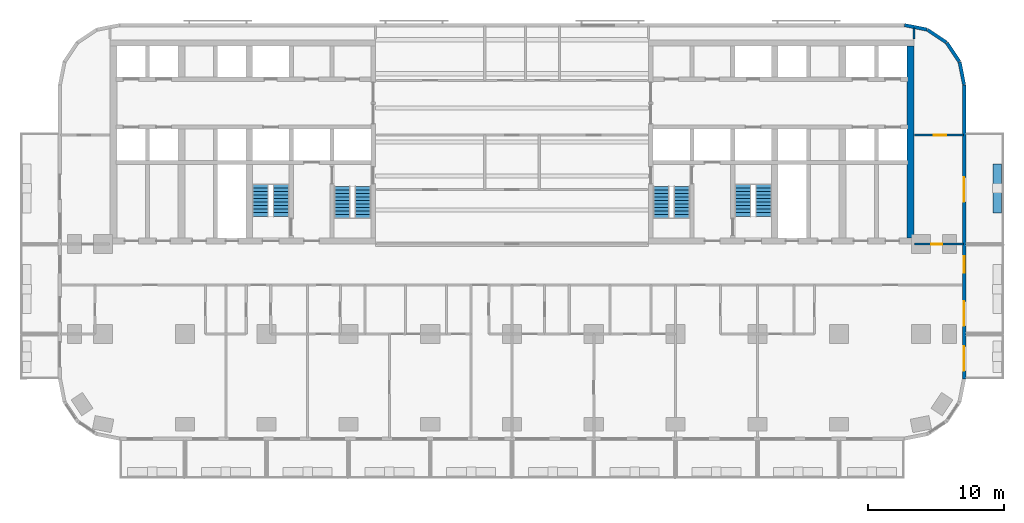
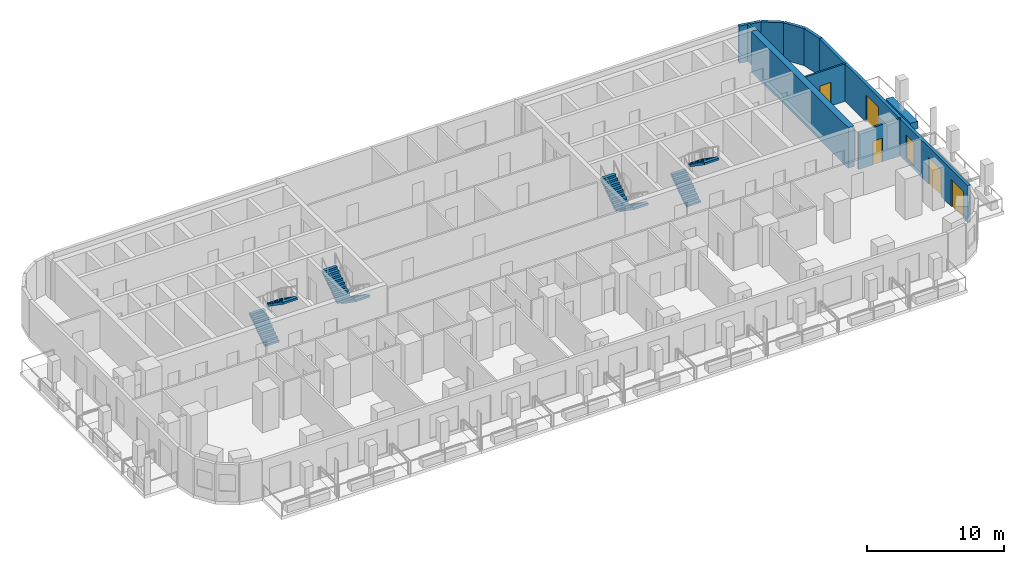
# One storey, part 9 of 14: 10 walls, 8 stair flights, 5 doors, 1 window, 6 openings, 4 elements without a shape of their own.
"""IFC4 building model written with IfcOpenShell, lengths in metres."""

from ifc_helpers import new_model, si_unit, direction, frame, frame_2d, origin, place, context, subcontext, project, spatial, polyline, rectangle, outline, extrude, material, layer, layer_set, type_object, element, fill, aggregate, save


model = new_model("IFC4")

# Units and contexts
model_context = context("Model", 3, precision=1e-05, world=origin(), true_north=direction((0.0, 1.0)))
body_context = subcontext(model_context, "Body", "Model", "MODEL_VIEW")
ifc_project = project(units=[si_unit("LENGTHUNIT", "METRE"), si_unit("AREAUNIT", "SQUARE_METRE"), si_unit("VOLUMEUNIT", "CUBIC_METRE"), si_unit("PLANEANGLEUNIT", "RADIAN"), si_unit("MASSUNIT", "GRAM", prefix="KILO")], contexts=[model_context])

# Site, building, storey
site_placement = place(None, origin())
site = spatial("IfcSite", under=ifc_project, at=site_placement, CompositionType="ELEMENT")
building_placement = place(site_placement, origin())
building = spatial("IfcBuilding", under=site, at=building_placement, Name="Torana Hotel and Residences", CompositionType="ELEMENT")
storey_placement = place(building_placement, frame((0.0, 0.0, 103.199951171875)))
storey = spatial("IfcBuildingStorey", under=building, at=storey_placement, Name="L26", CompositionType="ELEMENT", Elevation=103.199951171875)

# Walls
ifc_material_1 = material(Name="Concrete C80/95", Category="concrete")
ifc_layer_1 = layer(ifc_material_1, 0.5)
ifc_layer_set_1 = layer_set([ifc_layer_1], Name="CORE WALL 500 C80/95")
wall_type_1 = type_object("IfcWallType", Name="CORE WALL 500 C80/95", PredefinedType="SHEAR", material=ifc_layer_set_1)
wall_1_placement = place(storey_placement, frame((29.25, -14.550048828125, 0.0), z_axis=(0.0, 0.0, 1.0), x_axis=(0.0, 1.0, 0.0)))
element("IfcWall", 1, at=wall_1_placement, inside=storey, type_object=wall_type_1, Name="Core wall E outer", PredefinedType="SHEAR", context=body_context, shape_type="SweptSolid", body=[
    extrude(rectangle(XDim=14.10009765625, YDim=0.5, at=frame_2d((7.050048828125, 0.0))), origin(), (0.0, 0.0, 1.0), 3.60009765625),
])
ifc_material_2 = material(Name="Black aluminium composite panel", Category="aluminium")
ifc_layer_2 = layer(ifc_material_2, 0.00390625, Name="Cladding", Category="cladding")
ifc_material_3 = material(Name="Ventilated air cavity")
ifc_layer_3 = layer(ifc_material_3, 0.0400390625, Name="Ventilated cavity", Category="cavity")
ifc_material_4 = material(Name="Mineral wool insulation")
ifc_layer_4 = layer(ifc_material_4, 0.090087890625, Name="Insulation", Category="insulation")
ifc_material_5 = material(Name="Steel S280GD", Category="steel")
ifc_layer_5 = layer(ifc_material_5, 0.092041015625, Name="Steel stud frame", Category="structure")
ifc_material_6 = material(Name="Fire rated plasterboard")
ifc_layer_6 = layer(ifc_material_6, 0.011962890625, Name="Inner board", Category="finish")
ifc_layer_7 = layer(ifc_material_6, 0.011962890625, Name="Second board", Category="finish")
ifc_layer_set_2 = layer_set([ifc_layer_2, ifc_layer_3, ifc_layer_4, ifc_layer_5, ifc_layer_6, ifc_layer_7], Name="EW1 EXTERNAL WALL BLACK METAL CLAD 250")
wall_type_2 = type_object("IfcWallType", Name="EW1 EXTERNAL WALL BLACK METAL CLAD 250", PredefinedType="SOLIDWALL", material=ifc_layer_set_2)
wall_2_placement = place(storey_placement, frame((33.172607421875, -3.30029296875, 0.0), z_axis=(0.0, 0.0, 1.0), x_axis=(-0.19513878023, 0.980775640221, 0.0)))
element("IfcWall", 2, at=wall_2_placement, inside=storey, type_object=wall_type_2, Name="External wall L26 e0.0", PredefinedType="SOLIDWALL", context=body_context, shape_type="SweptSolid", body=[
    extrude(rectangle(XDim=1.681396484375, YDim=0.25, at=frame_2d((0.8408203125, 0.0))), origin(), (0.0, 0.0, 1.0), 3.300048828125),
])
for number, where, z_axis, x_axis, name in (
    (3, (32.825927734375, -1.60595703125, 0.0), (0.0, 0.0, 1.0), (-0.55555029066, 0.831482937015, 0.0), "External wall L26 e0.1"),
    (4, (31.87109375, -0.1943359375, 0.0), (0.0, 0.0, 1.0), (-0.831482937015, 0.55555029066, 0.0), "External wall L26 e0.2"),
):
    element("IfcWall", number, at=place(storey_placement, frame(where, z_axis=z_axis, x_axis=x_axis)), inside=storey, type_object=wall_type_2, Name=name, PredefinedType="SOLIDWALL", context=body_context, shape_type="SweptSolid", body=[
        extrude(rectangle(XDim=1.65625, YDim=0.25, at=frame_2d((0.828125, 0.0))), origin(), (0.0, 0.0, 1.0), 3.300048828125),
    ])
wall_3_placement = place(storey_placement, frame((30.448974609375, 0.74462890625, 0.0), z_axis=(0.0, 0.0, 1.0), x_axis=(-0.980803419081, 0.194999110559, 0.0)))
element("IfcWall", 5, at=wall_3_placement, inside=storey, type_object=wall_type_2, Name="External wall L26 e0.3", PredefinedType="SOLIDWALL", context=body_context, shape_type="SweptSolid", body=[
    extrude(rectangle(XDim=1.681396484375, YDim=0.25, at=frame_2d((0.8408203125, 0.0))), origin(), (0.0, 0.0, 1.0), 3.300048828125),
])

# Wall, openings, doors, window
wall_4_placement = place(storey_placement, frame((33.175048828125, -24.87548828125, 0.0), z_axis=(0.0, 0.0, 1.0), x_axis=(0.0, 1.0, 0.0)))
wall_4 = element("IfcWall", 6, at=wall_4_placement, inside=storey, type_object=wall_type_2, Name="External wall L26 e0.19", PredefinedType="SOLIDWALL", context=body_context, shape_type="SweptSolid", body=[
    extrude(rectangle(XDim=21.55078125, YDim=0.25, at=frame_2d((10.775390625, 0.0))), origin(), (0.0, 0.0, 1.0), 3.300048828125),
])
opening_1_placement = place(wall_4_placement, frame((0.575439453125, 0.0, 0.0)))
opening_1 = element("IfcOpeningElement", 7, at=opening_1_placement, cuts=wall_4, Name="Opening L26-E11", PredefinedType="OPENING", context=body_context, shape_type="SweptSolid", body=[
    extrude(rectangle(XDim=1.800048828125, YDim=2.39990234375, at=frame_2d((0.89990234375, 1.199951171875))), frame((0.0, 0.135009765625, 0.0), z_axis=(0.0, -1.0, 0.0), x_axis=(1.0, 0.0, 0.0)), (0.0, 0.0, 1.0), 0.27001953125),
])
opening_2_placement = place(wall_4_placement, frame((3.87548828125, 0.0, 0.0)))
opening_2 = element("IfcOpeningElement", 8, at=opening_2_placement, cuts=wall_4, Name="Opening L26-E12", PredefinedType="OPENING", context=body_context, shape_type="SweptSolid", body=[
    extrude(rectangle(XDim=1.800048828125, YDim=2.39990234375, at=frame_2d((0.89990234375, 1.199951171875))), frame((0.0, 0.135009765625, 0.0), z_axis=(0.0, -1.0, 0.0), x_axis=(1.0, 0.0, 0.0)), (0.0, 0.0, 1.0), 0.27001953125),
])
opening_3_placement = place(wall_4_placement, frame((7.775390625, 0.0, 0.300048828125)))
opening_3 = element("IfcOpeningElement", 9, at=opening_3_placement, cuts=wall_4, Name="Opening W7", PredefinedType="OPENING", context=body_context, shape_type="SweptSolid", body=[
    extrude(rectangle(XDim=1.199951171875, YDim=2.10009765625, at=frame_2d((0.60009765625, 1.050048828125))), frame((0.0, 0.135009765625, 0.0), z_axis=(0.0, -1.0, 0.0), x_axis=(1.0, 0.0, 0.0)), (0.0, 0.0, 1.0), 0.27001953125),
])
opening_4_placement = place(wall_4_placement, frame((12.975341796875, 0.0, 0.0)))
opening_4 = element("IfcOpeningElement", 10, at=opening_4_placement, cuts=wall_4, Name="Opening L26-E13", PredefinedType="OPENING", context=body_context, shape_type="SweptSolid", body=[
    extrude(rectangle(XDim=1.800048828125, YDim=2.39990234375, at=frame_2d((0.89990234375, 1.199951171875))), frame((0.0, 0.135009765625, 0.0), z_axis=(0.0, -1.0, 0.0), x_axis=(1.0, 0.0, 0.0)), (0.0, 0.0, 1.0), 0.27001953125),
])
ifc_material_7 = material(Name="Dark glass in black aluminium frame", Category="aluminium")
door_type_1 = type_object("IfcDoorType", Name="DB1 BALCONY DOOR 1800x2400", OperationType="DOUBLE_DOOR_SINGLE_SWING", PredefinedType="DOOR", material=ifc_material_7)
door_1_placement = place(opening_1_placement, origin())
door_1 = element("IfcDoor", 11, at=door_1_placement, inside=storey, type_object=door_type_1, Name="Balcony door L26", OperationType="DOUBLE_DOOR_SINGLE_SWING", OverallHeight=2.39990234375, OverallWidth=1.800048828125, PredefinedType="DOOR", context=body_context, shape_type="SweptSolid", body=[
    extrude(rectangle(XDim=1.800048828125, YDim=2.39990234375, at=frame_2d((0.89990234375, 1.199951171875))), frame((0.0, 0.02490234375, 0.0), z_axis=(0.0, -1.0, 0.0), x_axis=(1.0, 0.0, 0.0)), (0.0, 0.0, 1.0), 0.050048828125),
])
fill(opening_1, door_1)
door_2_placement = place(opening_2_placement, frame((0.89990234375, 0.0, 0.0), z_axis=(0.0, 0.0, 1.0), x_axis=(-1.0, 0.0, 0.0)))
door_2 = element("IfcDoor", 12, at=door_2_placement, inside=storey, type_object=door_type_1, Name="Balcony door L26", OperationType="DOUBLE_DOOR_SINGLE_SWING", OverallHeight=2.39990234375, OverallWidth=1.800048828125, PredefinedType="DOOR", context=body_context, shape_type="SweptSolid", body=[
    extrude(rectangle(XDim=1.800048828125, YDim=2.39990234375, at=frame_2d((0.0, 1.199951171875))), frame((0.0, -0.02490234375, 0.0), z_axis=(0.0, 1.0, 0.0), x_axis=(-1.0, 0.0, 0.0)), (0.0, 0.0, 1.0), 0.050048828125),
])
fill(opening_2, door_2)
door_3_placement = place(opening_4_placement, origin())
door_3 = element("IfcDoor", 13, at=door_3_placement, inside=storey, type_object=door_type_1, Name="Balcony door L26", OperationType="DOUBLE_DOOR_SINGLE_SWING", OverallHeight=2.39990234375, OverallWidth=1.800048828125, PredefinedType="DOOR", context=body_context, shape_type="SweptSolid", body=[
    extrude(rectangle(XDim=1.800048828125, YDim=2.39990234375, at=frame_2d((0.89990234375, 1.199951171875))), frame((0.0, 0.02490234375, 0.0), z_axis=(0.0, -1.0, 0.0), x_axis=(1.0, 0.0, 0.0)), (0.0, 0.0, 1.0), 0.050048828125),
])
fill(opening_4, door_3)
ifc_material_8 = material(Name="Dark glass in black aluminium frame", Category="aluminium")
window_type = type_object("IfcWindowType", Name="W7 HOTEL CORRIDOR WINDOW 1200x2100", PartitioningType="SINGLE_PANEL", PredefinedType="WINDOW", material=ifc_material_8)
window_placement = place(opening_3_placement, origin())
window = element("IfcWindow", 14, at=window_placement, inside=storey, type_object=window_type, Name="Window L26", OverallHeight=2.10009765625, OverallWidth=1.199951171875, PartitioningType="SINGLE_PANEL", PredefinedType="WINDOW", context=body_context, shape_type="SweptSolid", body=[
    extrude(rectangle(XDim=1.199951171875, YDim=2.10009765625, at=frame_2d((0.60009765625, 1.050048828125))), frame((0.0, 0.030029296875, 0.0), z_axis=(0.0, -1.0, 0.0), x_axis=(1.0, 0.0, 0.0)), (0.0, 0.0, 1.0), 0.06005859375),
])
fill(opening_3, window)

# Wall, opening, door
ifc_material_9 = material(Name="Gypsum plaster")
ifc_layer_8 = layer(ifc_material_9, 0.014892578125, Name="Plaster", Category="finish")
ifc_material_10 = material(Name="Concrete blockwork", Category="masonry")
ifc_layer_9 = layer(ifc_material_10, 0.1201171875, Name="Blockwork", Category="structure")
ifc_layer_10 = layer(ifc_material_9, 0.014892578125, Name="Plaster", Category="finish")
ifc_layer_set_3 = layer_set([ifc_layer_8, ifc_layer_9, ifc_layer_10], Name="FIRE PARTITION 150 BLOCKWORK")
wall_type_3 = type_object("IfcWallType", Name="FIRE PARTITION 150 BLOCKWORK", PredefinedType="PARTITIONING", material=ifc_layer_set_3)
wall_5_placement = place(storey_placement, frame((29.550048828125, -15.0, 0.0), z_axis=(0.0, 0.0, 1.0), x_axis=(1.0, 0.0, 0.0)))
wall_5 = element("IfcWall", 15, at=wall_5_placement, inside=storey, type_object=wall_type_3, Name="Partition L26", PredefinedType="PARTITIONING", context=body_context, shape_type="SweptSolid", body=[
    extrude(rectangle(XDim=3.570068359375, YDim=0.14990234375, at=frame_2d((1.78515625, 0.0))), origin(), (0.0, 0.0, 1.0), 3.320068359375),
])
opening_5_placement = place(wall_5_placement, frame((1.205078125, 0.0, 0.0)))
opening_5 = element("IfcOpeningElement", 16, at=opening_5_placement, cuts=wall_5, Name="Opening L26-38", PredefinedType="OPENING", context=body_context, shape_type="SweptSolid", body=[
    extrude(rectangle(XDim=0.800048828125, YDim=2.10009765625, at=frame_2d((0.39990234375, 1.050048828125))), frame((0.0, 0.0849609375, 0.0), z_axis=(0.0, -1.0, 0.0), x_axis=(1.0, 0.0, 0.0)), (0.0, 0.0, 1.0), 0.169921875),
])
ifc_material_11 = material(Name="Steel S235", Category="steel")
door_type_2 = type_object("IfcDoorType", Name="STORE FIRE DOOR D16 800x2100", OperationType="SINGLE_SWING_LEFT", PredefinedType="DOOR", material=ifc_material_11)
door_4_placement = place(opening_5_placement, origin())
door_4 = element("IfcDoor", 17, at=door_4_placement, inside=storey, type_object=door_type_2, Name="Door L26", OperationType="SINGLE_SWING_RIGHT", OverallHeight=2.10009765625, OverallWidth=0.800048828125, PredefinedType="DOOR", context=body_context, shape_type="SweptSolid", body=[
    extrude(rectangle(XDim=0.800048828125, YDim=2.10009765625, at=frame_2d((0.39990234375, 1.050048828125))), frame((0.0, 0.02490234375, 0.0), z_axis=(0.0, -1.0, 0.0), x_axis=(1.0, 0.0, 0.0)), (0.0, 0.0, 1.0), 0.050048828125),
])
fill(opening_5, door_4)

# Walls
ifc_material_12 = material(Name="Gypsum plasterboard")
ifc_layer_11 = layer(ifc_material_12, 0.012451171875, Name="Plasterboard", Category="finish")
ifc_layer_12 = layer(ifc_material_12, 0.012451171875, Name="Plasterboard", Category="finish")
ifc_layer_13 = layer(ifc_material_5, 0.10009765625, Name="Steel studs with mineral wool", Category="insulation")
ifc_layer_14 = layer(ifc_material_12, 0.012451171875, Name="Plasterboard", Category="finish")
ifc_layer_15 = layer(ifc_material_12, 0.012451171875, Name="Plasterboard", Category="finish")
ifc_layer_set_4 = layer_set([ifc_layer_11, ifc_layer_12, ifc_layer_13, ifc_layer_14, ifc_layer_15], Name="PARTITION 150 PLASTERBOARD")
wall_type_4 = type_object("IfcWallType", Name="PARTITION 150 PLASTERBOARD", PredefinedType="PARTITIONING", material=ifc_layer_set_4)
wall_6_placement = place(storey_placement, frame((29.5, 0.050048828125, 0.0), z_axis=(0.0, 0.0, 1.0), x_axis=(0.0, 1.0, 0.0)))
element("IfcWall", 18, at=wall_6_placement, inside=storey, type_object=wall_type_4, Name="Partition L26", PredefinedType="PARTITIONING", context=body_context, shape_type="SweptSolid", body=[
    extrude(rectangle(XDim=0.8271484375, YDim=0.14990234375, at=frame_2d((0.41357421875, 0.0))), origin(), (0.0, 0.0, 1.0), 3.320068359375),
])
ifc_material_13 = material(Name="Concrete C40/50 precast", Category="concrete")
ifc_layer_16 = layer(ifc_material_13, 0.10009765625, Name="Planter shell", Category="structure")
ifc_material_14 = material(Name="Root resistant membrane")
ifc_layer_17 = layer(ifc_material_14, 0.00390625, Name="Waterproofing membrane", Category="membrane")
ifc_material_15 = material(Name="Drainage board with filter fleece")
ifc_layer_18 = layer(ifc_material_15, 0.02001953125, Name="Drainage board", Category="drainage")
ifc_material_16 = material(Name="Growing medium")
ifc_layer_19 = layer(ifc_material_16, 0.47607421875, Name="Planting substrate", Category="soil")
ifc_layer_set_5 = layer_set([ifc_layer_16, ifc_layer_17, ifc_layer_18, ifc_layer_19], Name="PL1 BALCONY PLANTER 600")
wall_type_5 = type_object("IfcWallType", Name="PL1 BALCONY PLANTER 600", PredefinedType="USERDEFINED", material=ifc_layer_set_5)
wall_7_placement = place(storey_placement, frame((35.60009765625, -9.10009765625, 0.0), z_axis=(0.0, 0.0, 1.0), x_axis=(0.0, -1.0, 0.0)))
element("IfcWall", 19, at=wall_7_placement, inside=storey, type_object=wall_type_5, Name="Planter 16", ObjectType="PLANTER", PredefinedType="USERDEFINED", context=body_context, shape_type="SweptSolid", body=[
    extrude(rectangle(XDim=3.599853515625, YDim=0.60009765625, at=frame_2d((1.7998046875, 0.0))), origin(), (0.0, 0.0, 1.0), 0.650146484375),
])

# Wall, opening, door
ifc_material_17 = material(Name="Ceramic tile on adhesive")
ifc_layer_20 = layer(ifc_material_17, 0.010009765625, Name="Wall tile", Category="finish")
ifc_material_18 = material(Name="Cement render")
ifc_layer_21 = layer(ifc_material_18, 0.010009765625, Name="Render", Category="finish")
ifc_layer_22 = layer(ifc_material_10, 0.110107421875, Name="Blockwork", Category="structure")
ifc_layer_23 = layer(ifc_material_18, 0.010009765625, Name="Render", Category="finish")
ifc_layer_24 = layer(ifc_material_17, 0.010009765625, Name="Wall tile", Category="finish")
ifc_layer_set_6 = layer_set([ifc_layer_20, ifc_layer_21, ifc_layer_22, ifc_layer_23, ifc_layer_24], Name="WC PARTITION 150")
wall_type_6 = type_object("IfcWallType", Name="WC PARTITION 150", PredefinedType="PLUMBINGWALL", material=ifc_layer_set_6)
wall_8_placement = place(storey_placement, frame((29.550048828125, -7.0, 0.0), z_axis=(0.0, 0.0, 1.0), x_axis=(1.0, 0.0, 0.0)))
wall_8 = element("IfcWall", 20, at=wall_8_placement, inside=storey, type_object=wall_type_6, Name="Partition L26", PredefinedType="PLUMBINGWALL", context=body_context, shape_type="SweptSolid", body=[
    extrude(rectangle(XDim=3.570068359375, YDim=0.14990234375, at=frame_2d((1.78515625, 0.0))), origin(), (0.0, 0.0, 1.0), 3.320068359375),
])
opening_6_placement = place(wall_8_placement, frame((1.39990234375, 0.0, 0.0)))
opening_6 = element("IfcOpeningElement", 21, at=opening_6_placement, cuts=wall_8, Name="Opening L26-68", PredefinedType="OPENING", context=body_context, shape_type="SweptSolid", body=[
    extrude(rectangle(XDim=0.89990234375, YDim=2.10009765625, at=frame_2d((0.449951171875, 1.050048828125))), frame((0.0, 0.0849609375, 0.0), z_axis=(0.0, -1.0, 0.0), x_axis=(1.0, 0.0, 0.0)), (0.0, 0.0, 1.0), 0.169921875),
])
ifc_material_19 = material(Name="Timber door, oiled ash", Category="wood")
door_type_3 = type_object("IfcDoorType", Name="ROOM DOOR D7 900x2100", OperationType="SINGLE_SWING_LEFT", PredefinedType="DOOR", material=ifc_material_19)
door_5_placement = place(opening_6_placement, origin())
door_5 = element("IfcDoor", 22, at=door_5_placement, inside=storey, type_object=door_type_3, Name="Door L26", OperationType="SINGLE_SWING_LEFT", OverallHeight=2.10009765625, OverallWidth=0.89990234375, PredefinedType="DOOR", context=body_context, shape_type="SweptSolid", body=[
    extrude(rectangle(XDim=0.89990234375, YDim=2.10009765625, at=frame_2d((0.449951171875, 1.050048828125))), frame((0.0, 0.02490234375, 0.0), z_axis=(0.0, -1.0, 0.0), x_axis=(1.0, 0.0, 0.0)), (0.0, 0.0, 1.0), 0.050048828125),
])
fill(opening_6, door_5)

# Stair, stair flights
ifc_material_20 = material(Name="Concrete C40/50 precast", Category="concrete")
stair_type_1 = type_object("IfcStairType", Name="STAIR ST1 HALF TURN 1200", PredefinedType="HALF_TURN_STAIR", material=ifc_material_20)
stair_1_placement = place(storey_placement, origin())
stair_1 = element("IfcStair", 23, at=stair_1_placement, inside=storey, type_object=stair_type_1, Name="Stair ST1 L26", PredefinedType="HALF_TURN_STAIR")
ifc_material_21 = material(Name="Concrete C40/50 precast", Category="concrete")
stair_flight_type = type_object("IfcStairFlightType", Name="STAIR FLIGHT 1200 PRECAST", PredefinedType="STRAIGHT", material=ifc_material_21)
stair_flight_1_placement = place(storey_placement, frame((-10.949951171875, -10.75, 0.0), z_axis=(0.0, 0.0, 1.0), x_axis=(0.0, -1.0, 0.0)))
stair_flight_1 = element("IfcStairFlight", 24, at=stair_flight_1_placement, type_object=stair_flight_type, Name="ST1 flight 1", NumberOfRisers=10, NumberOfTreads=9, PredefinedType="STRAIGHT", RiserHeight=0.18, TreadLength=0.26, context=body_context, shape_type="SweptSolid", body=[
    extrude(outline(polyline([(0.0, 0.0), (0.0, 0.179931640625), (0.260009765625, 0.179931640625), (0.260009765625, 0.360107421875), (0.52001953125, 0.360107421875), (0.52001953125, 0.5400390625), (0.780029296875, 0.5400390625), (0.780029296875, 0.719970703125), (1.0400390625, 0.719970703125), (1.0400390625, 0.89990234375), (1.300048828125, 0.89990234375), (1.300048828125, 1.080078125), (1.56005859375, 1.080078125), (1.56005859375, 1.260009765625), (1.820068359375, 1.260009765625), (1.820068359375, 1.43994140625), (2.080078125, 1.43994140625), (2.080078125, 1.6201171875), (2.340087890625, 1.6201171875), (2.340087890625, 1.800048828125), (2.340087890625, 1.437744140625), (0.263427734375, 0.0), (0.0, 0.0)])), frame((0.0, 0.60009765625, 0.0), z_axis=(0.0, -1.0, 0.0), x_axis=(1.0, 0.0, 0.0)), (0.0, 0.0, 1.0), 1.199951171875),
])
stair_flight_2_placement = place(storey_placement, frame((-12.449951171875, -13.090087890625, 1.800048828125), z_axis=(0.0, 0.0, 1.0), x_axis=(0.0, 1.0, 0.0)))
stair_flight_2 = element("IfcStairFlight", 25, at=stair_flight_2_placement, type_object=stair_flight_type, Name="ST1 flight 2", NumberOfRisers=10, NumberOfTreads=9, PredefinedType="STRAIGHT", RiserHeight=0.18, TreadLength=0.26, context=body_context, shape_type="SweptSolid", body=[
    extrude(outline(polyline([(0.0, 0.0), (0.0, 0.179931640625), (0.260009765625, 0.179931640625), (0.260009765625, 0.360107421875), (0.52001953125, 0.360107421875), (0.52001953125, 0.5400390625), (0.780029296875, 0.5400390625), (0.780029296875, 0.719970703125), (1.0400390625, 0.719970703125), (1.0400390625, 0.89990234375), (1.300048828125, 0.89990234375), (1.300048828125, 1.080078125), (1.56005859375, 1.080078125), (1.56005859375, 1.260009765625), (1.820068359375, 1.260009765625), (1.820068359375, 1.43994140625), (2.080078125, 1.43994140625), (2.080078125, 1.6201171875), (2.340087890625, 1.6201171875), (2.340087890625, 1.800048828125), (2.340087890625, 1.437744140625), (0.263427734375, 0.0), (0.0, 0.0)])), frame((0.0, 0.60009765625, 0.0), z_axis=(0.0, -1.0, 0.0), x_axis=(1.0, 0.0, 0.0)), (0.0, 0.0, 1.0), 1.199951171875),
])
aggregate(stair_1, [stair_flight_1, stair_flight_2])

ifc_material_22 = material(Name="Concrete C40/50 precast", Category="concrete")
stair_type_2 = type_object("IfcStairType", Name="STAIR ST2 HALF TURN 1200", PredefinedType="HALF_TURN_STAIR", material=ifc_material_22)
stair_2_placement = place(storey_placement, origin())
stair_2 = element("IfcStair", 26, at=stair_2_placement, inside=storey, type_object=stair_type_2, Name="Stair ST2 L26", PredefinedType="HALF_TURN_STAIR")
stair_flight_3_placement = place(storey_placement, frame((-18.449951171875, -12.949951171875, 0.0), z_axis=(0.0, 0.0, 1.0), x_axis=(0.0, 1.0, 0.0)))
stair_flight_3 = element("IfcStairFlight", 27, at=stair_flight_3_placement, type_object=stair_flight_type, Name="ST2 flight 1", NumberOfRisers=10, NumberOfTreads=9, PredefinedType="STRAIGHT", RiserHeight=0.18, TreadLength=0.26, context=body_context, shape_type="SweptSolid", body=[
    extrude(outline(polyline([(0.0, 0.0), (0.0, 0.179931640625), (0.260009765625, 0.179931640625), (0.260009765625, 0.360107421875), (0.52001953125, 0.360107421875), (0.52001953125, 0.5400390625), (0.780029296875, 0.5400390625), (0.780029296875, 0.719970703125), (1.0400390625, 0.719970703125), (1.0400390625, 0.89990234375), (1.300048828125, 0.89990234375), (1.300048828125, 1.080078125), (1.56005859375, 1.080078125), (1.56005859375, 1.260009765625), (1.820068359375, 1.260009765625), (1.820068359375, 1.43994140625), (2.080078125, 1.43994140625), (2.080078125, 1.6201171875), (2.340087890625, 1.6201171875), (2.340087890625, 1.800048828125), (2.340087890625, 1.437744140625), (0.263427734375, 0.0), (0.0, 0.0)])), frame((0.0, 0.60009765625, 0.0), z_axis=(0.0, -1.0, 0.0), x_axis=(1.0, 0.0, 0.0)), (0.0, 0.0, 1.0), 1.199951171875),
])
stair_flight_4_placement = place(storey_placement, frame((-16.949951171875, -10.610107421875, 1.800048828125), z_axis=(0.0, 0.0, 1.0), x_axis=(0.0, -1.0, 0.0)))
stair_flight_4 = element("IfcStairFlight", 28, at=stair_flight_4_placement, type_object=stair_flight_type, Name="ST2 flight 2", NumberOfRisers=10, NumberOfTreads=9, PredefinedType="STRAIGHT", RiserHeight=0.18, TreadLength=0.26, context=body_context, shape_type="SweptSolid", body=[
    extrude(outline(polyline([(0.0, 0.0), (0.0, 0.179931640625), (0.260009765625, 0.179931640625), (0.260009765625, 0.360107421875), (0.52001953125, 0.360107421875), (0.52001953125, 0.5400390625), (0.780029296875, 0.5400390625), (0.780029296875, 0.719970703125), (1.0400390625, 0.719970703125), (1.0400390625, 0.89990234375), (1.300048828125, 0.89990234375), (1.300048828125, 1.080078125), (1.56005859375, 1.080078125), (1.56005859375, 1.260009765625), (1.820068359375, 1.260009765625), (1.820068359375, 1.43994140625), (2.080078125, 1.43994140625), (2.080078125, 1.6201171875), (2.340087890625, 1.6201171875), (2.340087890625, 1.800048828125), (2.340087890625, 1.437744140625), (0.263427734375, 0.0), (0.0, 0.0)])), frame((0.0, 0.60009765625, 0.0), z_axis=(0.0, -1.0, 0.0), x_axis=(1.0, 0.0, 0.0)), (0.0, 0.0, 1.0), 1.199951171875),
])
aggregate(stair_2, [stair_flight_3, stair_flight_4])

ifc_material_23 = material(Name="Concrete C40/50 precast", Category="concrete")
stair_type_3 = type_object("IfcStairType", Name="STAIR ST3 HALF TURN 1200", PredefinedType="HALF_TURN_STAIR", material=ifc_material_23)
stair_3_placement = place(storey_placement, origin())
stair_3 = element("IfcStair", 29, at=stair_3_placement, inside=storey, type_object=stair_type_3, Name="Stair ST3 L26", PredefinedType="HALF_TURN_STAIR")
stair_flight_5_placement = place(storey_placement, frame((12.449951171875, -10.75, 0.0), z_axis=(0.0, 0.0, 1.0), x_axis=(0.0, -1.0, 0.0)))
stair_flight_5 = element("IfcStairFlight", 30, at=stair_flight_5_placement, type_object=stair_flight_type, Name="ST3 flight 1", NumberOfRisers=10, NumberOfTreads=9, PredefinedType="STRAIGHT", RiserHeight=0.18, TreadLength=0.26, context=body_context, shape_type="SweptSolid", body=[
    extrude(outline(polyline([(0.0, 0.0), (0.0, 0.179931640625), (0.260009765625, 0.179931640625), (0.260009765625, 0.360107421875), (0.52001953125, 0.360107421875), (0.52001953125, 0.5400390625), (0.780029296875, 0.5400390625), (0.780029296875, 0.719970703125), (1.0400390625, 0.719970703125), (1.0400390625, 0.89990234375), (1.300048828125, 0.89990234375), (1.300048828125, 1.080078125), (1.56005859375, 1.080078125), (1.56005859375, 1.260009765625), (1.820068359375, 1.260009765625), (1.820068359375, 1.43994140625), (2.080078125, 1.43994140625), (2.080078125, 1.6201171875), (2.340087890625, 1.6201171875), (2.340087890625, 1.800048828125), (2.340087890625, 1.437744140625), (0.263427734375, 0.0), (0.0, 0.0)])), frame((0.0, 0.60009765625, 0.0), z_axis=(0.0, -1.0, 0.0), x_axis=(1.0, 0.0, 0.0)), (0.0, 0.0, 1.0), 1.199951171875),
])
stair_flight_6_placement = place(storey_placement, frame((10.949951171875, -13.090087890625, 1.800048828125), z_axis=(0.0, 0.0, 1.0), x_axis=(0.0, 1.0, 0.0)))
stair_flight_6 = element("IfcStairFlight", 31, at=stair_flight_6_placement, type_object=stair_flight_type, Name="ST3 flight 2", NumberOfRisers=10, NumberOfTreads=9, PredefinedType="STRAIGHT", RiserHeight=0.18, TreadLength=0.26, context=body_context, shape_type="SweptSolid", body=[
    extrude(outline(polyline([(0.0, 0.0), (0.0, 0.179931640625), (0.260009765625, 0.179931640625), (0.260009765625, 0.360107421875), (0.52001953125, 0.360107421875), (0.52001953125, 0.5400390625), (0.780029296875, 0.5400390625), (0.780029296875, 0.719970703125), (1.0400390625, 0.719970703125), (1.0400390625, 0.89990234375), (1.300048828125, 0.89990234375), (1.300048828125, 1.080078125), (1.56005859375, 1.080078125), (1.56005859375, 1.260009765625), (1.820068359375, 1.260009765625), (1.820068359375, 1.43994140625), (2.080078125, 1.43994140625), (2.080078125, 1.6201171875), (2.340087890625, 1.6201171875), (2.340087890625, 1.800048828125), (2.340087890625, 1.437744140625), (0.263427734375, 0.0), (0.0, 0.0)])), frame((0.0, 0.60009765625, 0.0), z_axis=(0.0, -1.0, 0.0), x_axis=(1.0, 0.0, 0.0)), (0.0, 0.0, 1.0), 1.199951171875),
])
aggregate(stair_3, [stair_flight_5, stair_flight_6])

ifc_material_24 = material(Name="Concrete C40/50 precast", Category="concrete")
stair_type_4 = type_object("IfcStairType", Name="STAIR ST4 HALF TURN 1200", PredefinedType="HALF_TURN_STAIR", material=ifc_material_24)
stair_4_placement = place(storey_placement, origin())
stair_4 = element("IfcStair", 32, at=stair_4_placement, inside=storey, type_object=stair_type_4, Name="Stair ST4 L26", PredefinedType="HALF_TURN_STAIR")
stair_flight_7_placement = place(storey_placement, frame((16.949951171875, -12.949951171875, 0.0), z_axis=(0.0, 0.0, 1.0), x_axis=(0.0, 1.0, 0.0)))
stair_flight_7 = element("IfcStairFlight", 33, at=stair_flight_7_placement, type_object=stair_flight_type, Name="ST4 flight 1", NumberOfRisers=10, NumberOfTreads=9, PredefinedType="STRAIGHT", RiserHeight=0.18, TreadLength=0.26, context=body_context, shape_type="SweptSolid", body=[
    extrude(outline(polyline([(0.0, 0.0), (0.0, 0.179931640625), (0.260009765625, 0.179931640625), (0.260009765625, 0.360107421875), (0.52001953125, 0.360107421875), (0.52001953125, 0.5400390625), (0.780029296875, 0.5400390625), (0.780029296875, 0.719970703125), (1.0400390625, 0.719970703125), (1.0400390625, 0.89990234375), (1.300048828125, 0.89990234375), (1.300048828125, 1.080078125), (1.56005859375, 1.080078125), (1.56005859375, 1.260009765625), (1.820068359375, 1.260009765625), (1.820068359375, 1.43994140625), (2.080078125, 1.43994140625), (2.080078125, 1.6201171875), (2.340087890625, 1.6201171875), (2.340087890625, 1.800048828125), (2.340087890625, 1.437744140625), (0.263427734375, 0.0), (0.0, 0.0)])), frame((0.0, 0.60009765625, 0.0), z_axis=(0.0, -1.0, 0.0), x_axis=(1.0, 0.0, 0.0)), (0.0, 0.0, 1.0), 1.199951171875),
])
stair_flight_8_placement = place(storey_placement, frame((18.449951171875, -10.610107421875, 1.800048828125), z_axis=(0.0, 0.0, 1.0), x_axis=(0.0, -1.0, 0.0)))
stair_flight_8 = element("IfcStairFlight", 34, at=stair_flight_8_placement, type_object=stair_flight_type, Name="ST4 flight 2", NumberOfRisers=10, NumberOfTreads=9, PredefinedType="STRAIGHT", RiserHeight=0.18, TreadLength=0.26, context=body_context, shape_type="SweptSolid", body=[
    extrude(outline(polyline([(0.0, 0.0), (0.0, 0.179931640625), (0.260009765625, 0.179931640625), (0.260009765625, 0.360107421875), (0.52001953125, 0.360107421875), (0.52001953125, 0.5400390625), (0.780029296875, 0.5400390625), (0.780029296875, 0.719970703125), (1.0400390625, 0.719970703125), (1.0400390625, 0.89990234375), (1.300048828125, 0.89990234375), (1.300048828125, 1.080078125), (1.56005859375, 1.080078125), (1.56005859375, 1.260009765625), (1.820068359375, 1.260009765625), (1.820068359375, 1.43994140625), (2.080078125, 1.43994140625), (2.080078125, 1.6201171875), (2.340087890625, 1.6201171875), (2.340087890625, 1.800048828125), (2.340087890625, 1.437744140625), (0.263427734375, 0.0), (0.0, 0.0)])), frame((0.0, 0.60009765625, 0.0), z_axis=(0.0, -1.0, 0.0), x_axis=(1.0, 0.0, 0.0)), (0.0, 0.0, 1.0), 1.199951171875),
])
aggregate(stair_4, [stair_flight_7, stair_flight_8])

save(model, "model.ifc")
